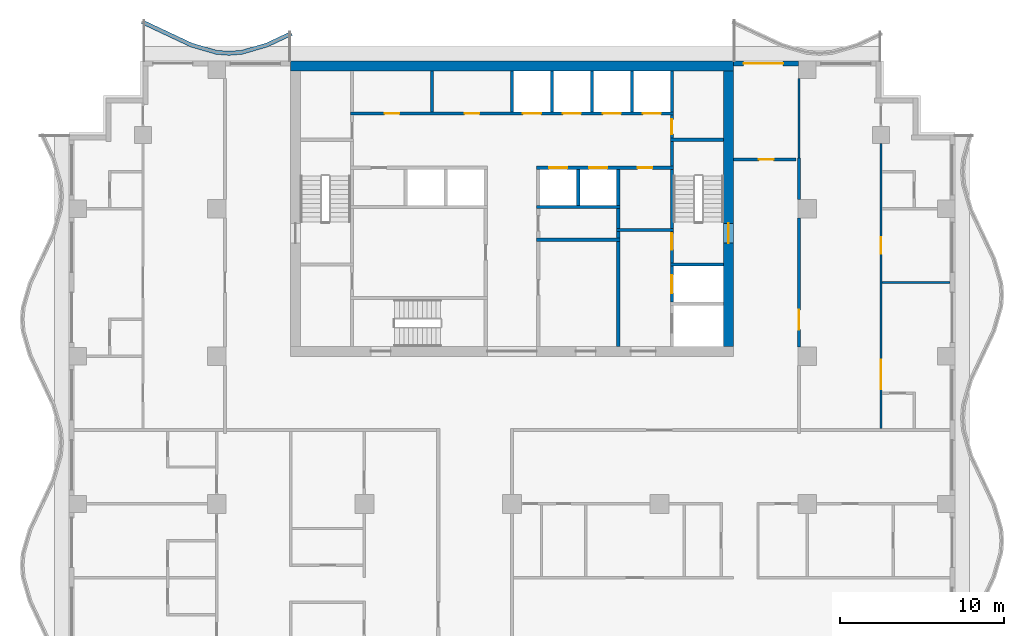
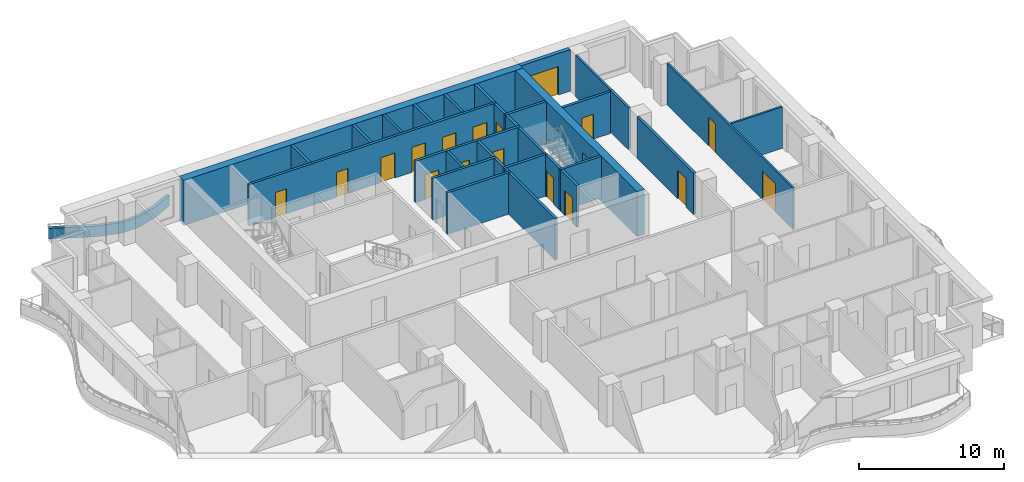
# One storey, part 6 of 11: 33 walls, 18 doors, 18 openings.
"""IFC4 building model written with IfcOpenShell, lengths in metres."""

from ifc_helpers import new_model, si_unit, direction, frame, frame_2d, origin, place, context, subcontext, project, spatial, polyline, rectangle, outline, extrude, material, layer, layer_set, type_object, element, fill, save


model = new_model("IFC4")

# Units and contexts
model_context = context("Model", 3, precision=1e-05, world=origin(), true_north=direction((0.0, 1.0)))
body_context = subcontext(model_context, "Body", "Model", "MODEL_VIEW")
ifc_project = project(units=[si_unit("LENGTHUNIT", "METRE"), si_unit("AREAUNIT", "SQUARE_METRE"), si_unit("VOLUMEUNIT", "CUBIC_METRE"), si_unit("PLANEANGLEUNIT", "RADIAN"), si_unit("MASSUNIT", "GRAM", prefix="KILO")], contexts=[model_context])

# Site, building, storey
site_placement = place(None, origin())
site = spatial("IfcSite", under=ifc_project, at=site_placement, CompositionType="ELEMENT")
building_placement = place(site_placement, origin())
building = spatial("IfcBuilding", under=site, at=building_placement, Name="Orbiselva Terraces", CompositionType="ELEMENT")
storey_placement = place(building_placement, frame((0.0, 0.0, 195.8)))
storey = spatial("IfcBuildingStorey", under=building, at=storey_placement, Name="L49", CompositionType="ELEMENT", Elevation=195.8)

# Wall, opening, door
ifc_material_1 = material(Name="Concrete C80/95", Category="concrete")
ifc_layer_1 = layer(ifc_material_1, 0.6)
ifc_layer_set_1 = layer_set([ifc_layer_1], Name="Concrete C80/95")
wall_type_1 = type_object("IfcWallType", Name="CORE WALL 600", PredefinedType="SHEAR", material=ifc_layer_set_1)
wall_1_placement = place(storey_placement, frame((13.2, 5.1, -0.3), z_axis=(0.0, 0.0, 1.0), x_axis=(0.0, 1.0, 0.0)))
wall_1 = element("IfcWall", 1, at=wall_1_placement, inside=storey, type_object=wall_type_1, Name="Core wall L49 east", PredefinedType="SHEAR", context=body_context, shape_type="SweptSolid", body=[
    extrude(rectangle(XDim=16.8, YDim=0.6, at=frame_2d((8.4, 0.0))), origin(), (0.0, 0.0, 1.0), 3.8),
])
opening_1_placement = place(wall_1_placement, frame((6.3, 0.0, 0.3)))
opening_1 = element("IfcOpeningElement", 2, at=opening_1_placement, cuts=wall_1, Name="Opening DS1200", PredefinedType="OPENING", context=body_context, shape_type="SweptSolid", body=[
    extrude(rectangle(XDim=1.2, YDim=2.2, at=frame_2d((0.6, 1.1))), frame((0.0, 0.31, 0.0), z_axis=(0.0, -1.0, 0.0), x_axis=(1.0, 0.0, 0.0)), (0.0, 0.0, 1.0), 0.62),
])
ifc_material_2 = material(Name="Steel fire door", Category="steel")
door_type_1 = type_object("IfcDoorType", Name="STAIR DOOR 1200", OperationType="NOTDEFINED", PredefinedType="DOOR", material=ifc_material_2)
door_1_placement = place(opening_1_placement, frame((1.2, 0.0, 0.0), z_axis=(0.0, 0.0, 1.0), x_axis=(-1.0, 0.0, 0.0)))
door_1 = element("IfcDoor", 3, at=door_1_placement, inside=storey, type_object=door_type_1, Name="L49 EXIT STAIR S2 door", OperationType="SINGLE_SWING_LEFT", OverallHeight=2.2, OverallWidth=1.2, PredefinedType="DOOR", context=body_context, shape_type="SweptSolid", body=[
    extrude(rectangle(XDim=1.2, YDim=2.2, at=frame_2d((0.6, 1.1))), frame((0.0, 0.025, 0.0), z_axis=(0.0, -1.0, 0.0), x_axis=(1.0, 0.0, 0.0)), (0.0, 0.0, 1.0), 0.05),
])
fill(opening_1, door_1)

# Walls
ifc_layer_2 = layer(ifc_material_1, 0.6)
ifc_layer_set_2 = layer_set([ifc_layer_2], Name="Concrete C80/95")
wall_type_2 = type_object("IfcWallType", Name="CORE WALL 600 EXTERNAL", PredefinedType="SHEAR", material=ifc_layer_set_2)
wall_2_placement = place(storey_placement, frame((13.5, 22.2, -0.3), z_axis=(0.0, 0.0, 1.0), x_axis=(-1.0, 0.0, 0.0)))
element("IfcWall", 4, at=wall_2_placement, inside=storey, type_object=wall_type_2, Name="Core wall L49 north", PredefinedType="SHEAR", context=body_context, shape_type="SweptSolid", body=[
    extrude(rectangle(XDim=27.0, YDim=0.6, at=frame_2d((13.5, 0.0))), origin(), (0.0, 0.0, 1.0), 3.8),
])
ifc_material_3 = material(Name="Masonry blockwork", Category="masonry")
ifc_layer_3 = layer(ifc_material_3, 0.2)
ifc_layer_set_3 = layer_set([ifc_layer_3], Name="Masonry blockwork")
wall_type_3 = type_object("IfcWallType", Name="CORE-WALL-PARTITION-200", PredefinedType="PARTITIONING", material=ifc_layer_set_3)
wall_3_placement = place(storey_placement, frame((-4.875, 19.4, 0.0), z_axis=(0.0, 0.0, 1.0), x_axis=(0.0, 1.0, 0.0)))
element("IfcWall", 5, at=wall_3_placement, inside=storey, type_object=wall_type_3, Name="L49 core wall 15", PredefinedType="PARTITIONING", context=body_context, shape_type="SweptSolid", body=[
    extrude(rectangle(XDim=2.5, YDim=0.2, at=frame_2d((1.25, 0.0))), origin(), (0.0, 0.0, 1.0), 3.5),
])
wall_4_placement = place(storey_placement, frame((6.475, 12.3, 0.0), z_axis=(0.0, 0.0, 1.0), x_axis=(0.0, 1.0, 0.0)))
element("IfcWall", 6, at=wall_4_placement, inside=storey, type_object=wall_type_3, Name="L49 core wall 33", PredefinedType="PARTITIONING", context=body_context, shape_type="SweptSolid", body=[
    extrude(rectangle(XDim=1.2, YDim=0.2, at=frame_2d((0.6, 0.0))), origin(), (0.0, 0.0, 1.0), 3.5),
])

# Wall, opening, door
wall_5_placement = place(storey_placement, frame((9.75, 19.2, 0.0), z_axis=(0.0, 0.0, 1.0), x_axis=(0.0, -1.0, 0.0)))
wall_5 = element("IfcWall", 7, at=wall_5_placement, inside=storey, type_object=wall_type_3, Name="L49 core wall 44", PredefinedType="PARTITIONING", context=body_context, shape_type="SweptSolid", body=[
    extrude(rectangle(XDim=1.4, YDim=0.2, at=frame_2d((0.7, 0.0))), origin(), (0.0, 0.0, 1.0), 3.5),
])
opening_2_placement = place(wall_5_placement, frame((0.25, 0.0, 0.0)))
opening_2 = element("IfcOpeningElement", 8, at=opening_2_placement, cuts=wall_5, Name="Opening DR900", PredefinedType="OPENING", context=body_context, shape_type="SweptSolid", body=[
    extrude(rectangle(XDim=0.9, YDim=2.1, at=frame_2d((0.45, 1.05))), frame((0.0, 0.11, 0.0), z_axis=(0.0, -1.0, 0.0), x_axis=(1.0, 0.0, 0.0)), (0.0, 0.0, 1.0), 0.22),
])
door_type_2 = type_object("IfcDoorType", Name="ROOM DOOR 900", OperationType="NOTDEFINED", PredefinedType="DOOR", material=ifc_material_2)
door_2_placement = place(opening_2_placement, origin())
door_2 = element("IfcDoor", 9, at=door_2_placement, inside=storey, type_object=door_type_2, Name="L49 ELECTRICAL RISER ROOM door", OperationType="SINGLE_SWING_RIGHT", OverallHeight=2.1, OverallWidth=0.9, PredefinedType="DOOR", context=body_context, shape_type="SweptSolid", body=[
    extrude(rectangle(XDim=0.9, YDim=2.1, at=frame_2d((0.45, 1.05))), frame((0.0, 0.025, 0.0), z_axis=(0.0, -1.0, 0.0), x_axis=(1.0, 0.0, 0.0)), (0.0, 0.0, 1.0), 0.05),
])
fill(opening_2, door_2)

# Walls
ifc_material_4 = material(Name="Concrete C40/50", Category="concrete")
ifc_layer_4 = layer(ifc_material_4, 0.2)
ifc_layer_set_4 = layer_set([ifc_layer_4], Name="Concrete C40/50")
wall_type_4 = type_object("IfcWallType", Name="CORE-WALL-SHAFT-200", PredefinedType="PARTITIONING", material=ifc_layer_set_4)
for number, where, z_axis, x_axis, name in (
    (10, (0.0, 19.4, 0.0), (0.0, 0.0, 1.0), (0.0, 1.0, 0.0), "L49 core wall 20"),
    (11, (2.4375, 19.4, 0.0), (0.0, 0.0, 1.0), (0.0, 1.0, 0.0), "L49 core wall 27"),
):
    element("IfcWall", number, at=place(storey_placement, frame(where, z_axis=z_axis, x_axis=x_axis)), inside=storey, type_object=wall_type_4, Name=name, PredefinedType="PARTITIONING", context=body_context, shape_type="SweptSolid", body=[
        extrude(rectangle(XDim=2.5, YDim=0.2, at=frame_2d((1.25, 0.0))), origin(), (0.0, 0.0, 1.0), 3.5),
    ])
wall_6_placement = place(storey_placement, frame((4.0375, 13.7, 0.0), z_axis=(0.0, 0.0, 1.0), x_axis=(0.0, 1.0, 0.0)))
element("IfcWall", 12, at=wall_6_placement, inside=storey, type_object=wall_type_4, Name="L49 core wall 28", PredefinedType="PARTITIONING", context=body_context, shape_type="SweptSolid", body=[
    extrude(rectangle(XDim=2.2, YDim=0.2, at=frame_2d((1.1, 0.0))), origin(), (0.0, 0.0, 1.0), 3.5),
])
wall_7_placement = place(storey_placement, frame((4.875, 19.4, 0.0), z_axis=(0.0, 0.0, 1.0), x_axis=(0.0, 1.0, 0.0)))
element("IfcWall", 13, at=wall_7_placement, inside=storey, type_object=wall_type_4, Name="L49 core wall 29", PredefinedType="PARTITIONING", context=body_context, shape_type="SweptSolid", body=[
    extrude(rectangle(XDim=2.5, YDim=0.2, at=frame_2d((1.25, 0.0))), origin(), (0.0, 0.0, 1.0), 3.5),
])
wall_8_placement = place(storey_placement, frame((6.475, 13.7, 0.0), z_axis=(0.0, 0.0, 1.0), x_axis=(0.0, 1.0, 0.0)))
element("IfcWall", 14, at=wall_8_placement, inside=storey, type_object=wall_type_4, Name="L49 core wall 34", PredefinedType="PARTITIONING", context=body_context, shape_type="SweptSolid", body=[
    extrude(rectangle(XDim=2.2, YDim=0.2, at=frame_2d((1.1, 0.0))), origin(), (0.0, 0.0, 1.0), 3.5),
])
for number, where, z_axis, x_axis, name in (
    (15, (7.3125, 19.4, 0.0), (0.0, 0.0, 1.0), (0.0, 1.0, 0.0), "L49 core wall 35"),
    (16, (9.75, 19.4, 0.0), (0.0, 0.0, 1.0), (0.0, 1.0, 0.0), "L49 core wall 45"),
):
    element("IfcWall", number, at=place(storey_placement, frame(where, z_axis=z_axis, x_axis=x_axis)), inside=storey, type_object=wall_type_4, Name=name, PredefinedType="PARTITIONING", context=body_context, shape_type="SweptSolid", body=[
        extrude(rectangle(XDim=2.5, YDim=0.2, at=frame_2d((1.25, 0.0))), origin(), (0.0, 0.0, 1.0), 3.5),
    ])

# Wall, openings, doors
ifc_material_5 = material(Name="Concrete C60/75", Category="concrete")
ifc_layer_5 = layer(ifc_material_5, 0.2)
ifc_layer_set_5 = layer_set([ifc_layer_5], Name="Concrete C60/75")
wall_type_5 = type_object("IfcWallType", Name="CORE-WALL-SHEAR-200", PredefinedType="SHEAR", material=ifc_layer_set_5)
wall_9_placement = place(storey_placement, frame((-9.85, 19.3, 0.0), z_axis=(0.0, 0.0, 1.0), x_axis=(1.0, 0.0, 0.0)))
wall_9 = element("IfcWall", 17, at=wall_9_placement, inside=storey, type_object=wall_type_5, Name="L49 core wall 12", PredefinedType="SHEAR", context=body_context, shape_type="SweptSolid", body=[
    extrude(rectangle(XDim=19.7, YDim=0.2, at=frame_2d((9.85, 0.0))), origin(), (0.0, 0.0, 1.0), 3.5),
])
opening_3_placement = place(wall_9_placement, frame((10.51875, 0.0, 0.0)))
opening_3 = element("IfcOpeningElement", 18, at=opening_3_placement, cuts=wall_9, Name="Opening LD-HR1", PredefinedType="OPENING", context=body_context, shape_type="SweptSolid", body=[
    extrude(rectangle(XDim=1.1, YDim=2.1, at=frame_2d((0.55, 1.05))), frame((0.0, 0.11, 0.0), z_axis=(0.0, -1.0, 0.0), x_axis=(1.0, 0.0, 0.0)), (0.0, 0.0, 1.0), 0.22),
])
opening_4_placement = place(wall_9_placement, frame((12.95625, 0.0, 0.0)))
opening_4 = element("IfcOpeningElement", 19, at=opening_4_placement, cuts=wall_9, Name="Opening LD-HR2", PredefinedType="OPENING", context=body_context, shape_type="SweptSolid", body=[
    extrude(rectangle(XDim=1.1, YDim=2.1, at=frame_2d((0.55, 1.05))), frame((0.0, 0.11, 0.0), z_axis=(0.0, -1.0, 0.0), x_axis=(1.0, 0.0, 0.0)), (0.0, 0.0, 1.0), 0.22),
])
opening_5_placement = place(wall_9_placement, frame((15.39375, 0.0, 0.0)))
opening_5 = element("IfcOpeningElement", 20, at=opening_5_placement, cuts=wall_9, Name="Opening LD-HR3", PredefinedType="OPENING", context=body_context, shape_type="SweptSolid", body=[
    extrude(rectangle(XDim=1.1, YDim=2.1, at=frame_2d((0.55, 1.05))), frame((0.0, 0.11, 0.0), z_axis=(0.0, -1.0, 0.0), x_axis=(1.0, 0.0, 0.0)), (0.0, 0.0, 1.0), 0.22),
])
opening_6_placement = place(wall_9_placement, frame((17.83125, 0.0, 0.0)))
opening_6 = element("IfcOpeningElement", 21, at=opening_6_placement, cuts=wall_9, Name="Opening LD-HR4", PredefinedType="OPENING", context=body_context, shape_type="SweptSolid", body=[
    extrude(rectangle(XDim=1.1, YDim=2.1, at=frame_2d((0.55, 1.05))), frame((0.0, 0.11, 0.0), z_axis=(0.0, -1.0, 0.0), x_axis=(1.0, 0.0, 0.0)), (0.0, 0.0, 1.0), 0.22),
])
opening_7_placement = place(wall_9_placement, frame((2.0875, 0.0, 0.0)))
opening_7 = element("IfcOpeningElement", 22, at=opening_7_placement, cuts=wall_9, Name="Opening DR900", PredefinedType="OPENING", context=body_context, shape_type="SweptSolid", body=[
    extrude(rectangle(XDim=0.9, YDim=2.1, at=frame_2d((0.45, 1.05))), frame((0.0, 0.11, 0.0), z_axis=(0.0, -1.0, 0.0), x_axis=(1.0, 0.0, 0.0)), (0.0, 0.0, 1.0), 0.22),
])
opening_8_placement = place(wall_9_placement, frame((6.9625, 0.0, 0.0)))
opening_8 = element("IfcOpeningElement", 23, at=opening_8_placement, cuts=wall_9, Name="Opening DR900", PredefinedType="OPENING", context=body_context, shape_type="SweptSolid", body=[
    extrude(rectangle(XDim=0.9, YDim=2.1, at=frame_2d((0.45, 1.05))), frame((0.0, 0.11, 0.0), z_axis=(0.0, -1.0, 0.0), x_axis=(1.0, 0.0, 0.0)), (0.0, 0.0, 1.0), 0.22),
])
ifc_material_6 = material(Name="Stainless steel landing door", Category="steel")
door_type_3 = type_object("IfcDoorType", Name="LANDING DOOR 1100", OperationType="SLIDING_TO_LEFT", PredefinedType="DOOR", material=ifc_material_6)
door_3_placement = place(opening_3_placement, origin())
door_3 = element("IfcDoor", 24, at=door_3_placement, inside=storey, type_object=door_type_3, Name="L49 landing door HR1", OperationType="SLIDING_TO_RIGHT", OverallHeight=2.1, OverallWidth=1.1, PredefinedType="DOOR", context=body_context, shape_type="SweptSolid", body=[
    extrude(rectangle(XDim=1.1, YDim=2.1, at=frame_2d((0.55, 1.05))), frame((0.0, 0.025, 0.0), z_axis=(0.0, -1.0, 0.0), x_axis=(1.0, 0.0, 0.0)), (0.0, 0.0, 1.0), 0.05),
])
fill(opening_3, door_3)
door_4_placement = place(opening_4_placement, origin())
door_4 = element("IfcDoor", 25, at=door_4_placement, inside=storey, type_object=door_type_3, Name="L49 landing door HR2", OperationType="SLIDING_TO_RIGHT", OverallHeight=2.1, OverallWidth=1.1, PredefinedType="DOOR", context=body_context, shape_type="SweptSolid", body=[
    extrude(rectangle(XDim=1.1, YDim=2.1, at=frame_2d((0.55, 1.05))), frame((0.0, 0.025, 0.0), z_axis=(0.0, -1.0, 0.0), x_axis=(1.0, 0.0, 0.0)), (0.0, 0.0, 1.0), 0.05),
])
fill(opening_4, door_4)
door_5_placement = place(opening_5_placement, origin())
door_5 = element("IfcDoor", 26, at=door_5_placement, inside=storey, type_object=door_type_3, Name="L49 landing door HR3", OperationType="SLIDING_TO_RIGHT", OverallHeight=2.1, OverallWidth=1.1, PredefinedType="DOOR", context=body_context, shape_type="SweptSolid", body=[
    extrude(rectangle(XDim=1.1, YDim=2.1, at=frame_2d((0.55, 1.05))), frame((0.0, 0.025, 0.0), z_axis=(0.0, -1.0, 0.0), x_axis=(1.0, 0.0, 0.0)), (0.0, 0.0, 1.0), 0.05),
])
fill(opening_5, door_5)
door_6_placement = place(opening_6_placement, origin())
door_6 = element("IfcDoor", 27, at=door_6_placement, inside=storey, type_object=door_type_3, Name="L49 landing door HR4", OperationType="SLIDING_TO_RIGHT", OverallHeight=2.1, OverallWidth=1.1, PredefinedType="DOOR", context=body_context, shape_type="SweptSolid", body=[
    extrude(rectangle(XDim=1.1, YDim=2.1, at=frame_2d((0.55, 1.05))), frame((0.0, 0.025, 0.0), z_axis=(0.0, -1.0, 0.0), x_axis=(1.0, 0.0, 0.0)), (0.0, 0.0, 1.0), 0.05),
])
fill(opening_6, door_6)
door_7_placement = place(opening_7_placement, origin())
door_7 = element("IfcDoor", 28, at=door_7_placement, inside=storey, type_object=door_type_2, Name="L49 PANTRY door", OperationType="SINGLE_SWING_LEFT", OverallHeight=2.1, OverallWidth=0.9, PredefinedType="DOOR", context=body_context, shape_type="SweptSolid", body=[
    extrude(rectangle(XDim=0.9, YDim=2.1, at=frame_2d((0.45, 1.05))), frame((0.0, 0.025, 0.0), z_axis=(0.0, -1.0, 0.0), x_axis=(1.0, 0.0, 0.0)), (0.0, 0.0, 1.0), 0.05),
])
fill(opening_7, door_7)
door_8_placement = place(opening_8_placement, origin())
door_8 = element("IfcDoor", 29, at=door_8_placement, inside=storey, type_object=door_type_2, Name="L49 STAFF LOUNGE door", OperationType="SINGLE_SWING_LEFT", OverallHeight=2.1, OverallWidth=0.9, PredefinedType="DOOR", context=body_context, shape_type="SweptSolid", body=[
    extrude(rectangle(XDim=0.9, YDim=2.1, at=frame_2d((0.45, 1.05))), frame((0.0, 0.025, 0.0), z_axis=(0.0, -1.0, 0.0), x_axis=(1.0, 0.0, 0.0)), (0.0, 0.0, 1.0), 0.05),
])
fill(opening_8, door_8)

# Walls
for number, where, z_axis, x_axis, name in (
    (30, (1.5, 11.6, 0.0), (0.0, 0.0, 1.0), (1.0, 0.0, 0.0), "L49 core wall 22"),
    (31, (1.5, 13.6, 0.0), (0.0, 0.0, 1.0), (1.0, 0.0, 0.0), "L49 core wall 24"),
):
    element("IfcWall", number, at=place(storey_placement, frame(where, z_axis=z_axis, x_axis=x_axis)), inside=storey, type_object=wall_type_5, Name=name, PredefinedType="SHEAR", context=body_context, shape_type="SweptSolid", body=[
        extrude(rectangle(XDim=5.075, YDim=0.2, at=frame_2d((2.5375, 0.0))), origin(), (0.0, 0.0, 1.0), 3.5),
    ])

# Wall, openings, doors
wall_10_placement = place(storey_placement, frame((9.85, 16.0, 0.0), z_axis=(0.0, 0.0, 1.0), x_axis=(-1.0, 0.0, 0.0)))
wall_10 = element("IfcWall", 32, at=wall_10_placement, inside=storey, type_object=wall_type_5, Name="L49 core wall 26", PredefinedType="SHEAR", context=body_context, shape_type="SweptSolid", body=[
    extrude(rectangle(XDim=8.35, YDim=0.2, at=frame_2d((4.175, 0.0))), origin(), (0.0, 0.0, 1.0), 3.5),
])
opening_9_placement = place(wall_10_placement, frame((6.48125, 0.0, 0.0)))
opening_9 = element("IfcOpeningElement", 33, at=opening_9_placement, cuts=wall_10, Name="Opening LD-HR5", PredefinedType="OPENING", context=body_context, shape_type="SweptSolid", body=[
    extrude(rectangle(XDim=1.1, YDim=2.1, at=frame_2d((0.55, 1.05))), frame((0.0, 0.11, 0.0), z_axis=(0.0, -1.0, 0.0), x_axis=(1.0, 0.0, 0.0)), (0.0, 0.0, 1.0), 0.22),
])
opening_10_placement = place(wall_10_placement, frame((4.04375, 0.0, 0.0)))
opening_10 = element("IfcOpeningElement", 34, at=opening_10_placement, cuts=wall_10, Name="Opening LD-HR6", PredefinedType="OPENING", context=body_context, shape_type="SweptSolid", body=[
    extrude(rectangle(XDim=1.1, YDim=2.1, at=frame_2d((0.55, 1.05))), frame((0.0, 0.11, 0.0), z_axis=(0.0, -1.0, 0.0), x_axis=(1.0, 0.0, 0.0)), (0.0, 0.0, 1.0), 0.22),
])
opening_11_placement = place(wall_10_placement, frame((1.2875, 0.0, 0.0)))
opening_11 = element("IfcOpeningElement", 35, at=opening_11_placement, cuts=wall_10, Name="Opening DR900", PredefinedType="OPENING", context=body_context, shape_type="SweptSolid", body=[
    extrude(rectangle(XDim=0.9, YDim=2.1, at=frame_2d((0.45, 1.05))), frame((0.0, 0.11, 0.0), z_axis=(0.0, -1.0, 0.0), x_axis=(1.0, 0.0, 0.0)), (0.0, 0.0, 1.0), 0.22),
])
door_9_placement = place(opening_9_placement, origin())
door_9 = element("IfcDoor", 36, at=door_9_placement, inside=storey, type_object=door_type_3, Name="L49 landing door HR5", OperationType="SLIDING_TO_RIGHT", OverallHeight=2.1, OverallWidth=1.1, PredefinedType="DOOR", context=body_context, shape_type="SweptSolid", body=[
    extrude(rectangle(XDim=1.1, YDim=2.1, at=frame_2d((0.55, 1.05))), frame((0.0, 0.025, 0.0), z_axis=(0.0, -1.0, 0.0), x_axis=(1.0, 0.0, 0.0)), (0.0, 0.0, 1.0), 0.05),
])
fill(opening_9, door_9)
door_10_placement = place(opening_10_placement, origin())
door_10 = element("IfcDoor", 37, at=door_10_placement, inside=storey, type_object=door_type_3, Name="L49 landing door HR6", OperationType="SLIDING_TO_RIGHT", OverallHeight=2.1, OverallWidth=1.1, PredefinedType="DOOR", context=body_context, shape_type="SweptSolid", body=[
    extrude(rectangle(XDim=1.1, YDim=2.1, at=frame_2d((0.55, 1.05))), frame((0.0, 0.025, 0.0), z_axis=(0.0, -1.0, 0.0), x_axis=(1.0, 0.0, 0.0)), (0.0, 0.0, 1.0), 0.05),
])
fill(opening_10, door_10)
door_11_placement = place(opening_11_placement, origin())
door_11 = element("IfcDoor", 38, at=door_11_placement, inside=storey, type_object=door_type_2, Name="L49 PIPE RISER ROOM door", OperationType="SINGLE_SWING_LEFT", OverallHeight=2.1, OverallWidth=0.9, PredefinedType="DOOR", context=body_context, shape_type="SweptSolid", body=[
    extrude(rectangle(XDim=0.9, YDim=2.1, at=frame_2d((0.45, 1.05))), frame((0.0, 0.025, 0.0), z_axis=(0.0, -1.0, 0.0), x_axis=(1.0, 0.0, 0.0)), (0.0, 0.0, 1.0), 0.05),
])
fill(opening_11, door_11)

# Walls
wall_11_placement = place(storey_placement, frame((6.475, 5.1, 0.0), z_axis=(0.0, 0.0, 1.0), x_axis=(0.0, 1.0, 0.0)))
element("IfcWall", 39, at=wall_11_placement, inside=storey, type_object=wall_type_5, Name="L49 core wall 30", PredefinedType="SHEAR", context=body_context, shape_type="SweptSolid", body=[
    extrude(rectangle(XDim=6.4, YDim=0.2, at=frame_2d((3.2, 0.0))), origin(), (0.0, 0.0, 1.0), 3.5),
])
wall_12_placement = place(storey_placement, frame((6.475, 11.7, 0.0), z_axis=(0.0, 0.0, 1.0), x_axis=(0.0, 1.0, 0.0)))
element("IfcWall", 40, at=wall_12_placement, inside=storey, type_object=wall_type_5, Name="L49 core wall 31", PredefinedType="SHEAR", context=body_context, shape_type="SweptSolid", body=[
    extrude(rectangle(XDim=0.4, YDim=0.2, at=frame_2d((0.2, 0.0))), origin(), (0.0, 0.0, 1.0), 3.5),
])
wall_13_placement = place(storey_placement, frame((6.375, 12.2, 0.0), z_axis=(0.0, 0.0, 1.0), x_axis=(1.0, 0.0, 0.0)))
element("IfcWall", 41, at=wall_13_placement, inside=storey, type_object=wall_type_5, Name="L49 core wall 32", PredefinedType="SHEAR", context=body_context, shape_type="SweptSolid", body=[
    extrude(rectangle(XDim=3.475, YDim=0.2, at=frame_2d((1.7375, 0.0))), origin(), (0.0, 0.0, 1.0), 3.5),
])

# Wall, opening, door
wall_14_placement = place(storey_placement, frame((9.75, 7.8, 0.0), z_axis=(0.0, 0.0, 1.0), x_axis=(0.0, 1.0, 0.0)))
wall_14 = element("IfcWall", 42, at=wall_14_placement, inside=storey, type_object=wall_type_5, Name="L49 core wall 38", PredefinedType="SHEAR", context=body_context, shape_type="SweptSolid", body=[
    extrude(rectangle(XDim=2.2, YDim=0.2, at=frame_2d((1.1, 0.0))), origin(), (0.0, 0.0, 1.0), 3.5),
])
opening_12_placement = place(wall_14_placement, frame((0.55, 0.0, 0.0)))
opening_12 = element("IfcOpeningElement", 43, at=opening_12_placement, cuts=wall_14, Name="Opening LD-FF2", PredefinedType="OPENING", context=body_context, shape_type="SweptSolid", body=[
    extrude(rectangle(XDim=1.1, YDim=2.1, at=frame_2d((0.55, 1.05))), frame((0.0, 0.11, 0.0), z_axis=(0.0, -1.0, 0.0), x_axis=(1.0, 0.0, 0.0)), (0.0, 0.0, 1.0), 0.22),
])
door_12_placement = place(opening_12_placement, origin())
door_12 = element("IfcDoor", 44, at=door_12_placement, inside=storey, type_object=door_type_3, Name="L49 landing door FF2", OperationType="SLIDING_TO_RIGHT", OverallHeight=2.1, OverallWidth=1.1, PredefinedType="DOOR", context=body_context, shape_type="SweptSolid", body=[
    extrude(rectangle(XDim=1.1, YDim=2.1, at=frame_2d((0.55, 1.05))), frame((0.0, 0.025, 0.0), z_axis=(0.0, -1.0, 0.0), x_axis=(1.0, 0.0, 0.0)), (0.0, 0.0, 1.0), 0.05),
])
fill(opening_12, door_12)

# Wall
wall_15_placement = place(storey_placement, frame((9.65, 10.1, 0.0), z_axis=(0.0, 0.0, 1.0), x_axis=(1.0, 0.0, 0.0)))
element("IfcWall", 45, at=wall_15_placement, inside=storey, type_object=wall_type_5, Name="L49 core wall 39", PredefinedType="SHEAR", context=body_context, shape_type="SweptSolid", body=[
    extrude(rectangle(XDim=3.25, YDim=0.2, at=frame_2d((1.625, 0.0))), origin(), (0.0, 0.0, 1.0), 3.5),
])

# Wall, opening, door
wall_16_placement = place(storey_placement, frame((9.75, 12.1, 0.0), z_axis=(0.0, 0.0, 1.0), x_axis=(0.0, -1.0, 0.0)))
wall_16 = element("IfcWall", 46, at=wall_16_placement, inside=storey, type_object=wall_type_5, Name="L49 core wall 40", PredefinedType="SHEAR", context=body_context, shape_type="SweptSolid", body=[
    extrude(rectangle(XDim=1.9, YDim=0.2, at=frame_2d((0.95, 0.0))), origin(), (0.0, 0.0, 1.0), 3.5),
])
opening_13_placement = place(wall_16_placement, frame((0.1, 0.0, 0.0)))
opening_13 = element("IfcOpeningElement", 47, at=opening_13_placement, cuts=wall_16, Name="Opening DS1000", PredefinedType="OPENING", context=body_context, shape_type="SweptSolid", body=[
    extrude(rectangle(XDim=1.0, YDim=2.2, at=frame_2d((0.5, 1.1))), frame((0.0, 0.11, 0.0), z_axis=(0.0, -1.0, 0.0), x_axis=(1.0, 0.0, 0.0)), (0.0, 0.0, 1.0), 0.22),
])
door_type_4 = type_object("IfcDoorType", Name="STAIR DOOR 1000", OperationType="NOTDEFINED", PredefinedType="DOOR", material=ifc_material_2)
door_13_placement = place(opening_13_placement, origin())
door_13 = element("IfcDoor", 48, at=door_13_placement, inside=storey, type_object=door_type_4, Name="L49 FIRE-FIGHTING LOBBY TO EXIT STAIR S2 door", OperationType="SINGLE_SWING_LEFT", OverallHeight=2.2, OverallWidth=1.0, PredefinedType="DOOR", context=body_context, shape_type="SweptSolid", body=[
    extrude(rectangle(XDim=1.0, YDim=2.2, at=frame_2d((0.5, 1.1))), frame((0.0, 0.025, 0.0), z_axis=(0.0, -1.0, 0.0), x_axis=(1.0, 0.0, 0.0)), (0.0, 0.0, 1.0), 0.05),
])
fill(opening_13, door_13)

# Walls
wall_17_placement = place(storey_placement, frame((9.75, 12.3, 0.0), z_axis=(0.0, 0.0, 1.0), x_axis=(0.0, 1.0, 0.0)))
element("IfcWall", 49, at=wall_17_placement, inside=storey, type_object=wall_type_5, Name="L49 core wall 41", PredefinedType="SHEAR", context=body_context, shape_type="SweptSolid", body=[
    extrude(rectangle(XDim=3.6, YDim=0.2, at=frame_2d((1.8, 0.0))), origin(), (0.0, 0.0, 1.0), 3.5),
])
wall_18_placement = place(storey_placement, frame((9.75, 16.1, 0.0), z_axis=(0.0, 0.0, 1.0), x_axis=(0.0, 1.0, 0.0)))
element("IfcWall", 50, at=wall_18_placement, inside=storey, type_object=wall_type_5, Name="L49 core wall 42", PredefinedType="SHEAR", context=body_context, shape_type="SweptSolid", body=[
    extrude(rectangle(XDim=1.5, YDim=0.2, at=frame_2d((0.75, 0.0))), origin(), (0.0, 0.0, 1.0), 3.5),
])
wall_19_placement = place(storey_placement, frame((9.65, 17.7, 0.0), z_axis=(0.0, 0.0, 1.0), x_axis=(1.0, 0.0, 0.0)))
element("IfcWall", 51, at=wall_19_placement, inside=storey, type_object=wall_type_5, Name="L49 core wall 43", PredefinedType="SHEAR", context=body_context, shape_type="SweptSolid", body=[
    extrude(rectangle(XDim=3.25, YDim=0.2, at=frame_2d((1.625, 0.0))), origin(), (0.0, 0.0, 1.0), 3.5),
])
ifc_layer_6 = layer(ifc_material_4, 0.25)
ifc_layer_set_6 = layer_set([ifc_layer_6], Name="Concrete C40/50")
wall_type_6 = type_object("IfcWallType", Name="ENV-PLANTER-250x900", PredefinedType="USERDEFINED", material=ifc_layer_set_6)
wall_20_placement = place(storey_placement, origin())
element("IfcWall", 52, at=wall_20_placement, inside=storey, type_object=wall_type_6, Name="Balcony planter L49 NW", ObjectType="PLANTER", PredefinedType="USERDEFINED", context=body_context, shape_type="SweptSolid", body=[
    extrude(outline(polyline([(-13.5, 24.3), (-15.0, 23.594658), (-16.5, 23.158732), (-17.25, 23.1), (-18.0, 23.158732), (-19.5, 23.594658), (-21.0, 24.3), (-22.5, 25.005342), (-22.606383, 24.779106), (-21.106383, 24.073764), (-19.588618, 23.360069), (-18.045114, 22.911499), (-17.25, 22.849235), (-16.454886, 22.911499), (-14.911382, 23.360069), (-13.393617, 24.073764), (-13.5, 24.3)])), origin(), (0.0, 0.0, 1.0), 0.9),
])

# Wall, opening, door
ifc_material_7 = material(Name="Terracotta cladding on masonry backing", Category="masonry")
ifc_layer_7 = layer(ifc_material_7, 0.3)
ifc_layer_set_7 = layer_set([ifc_layer_7], Name="Terracotta cladding on masonry backing")
wall_type_7 = type_object("IfcWallType", Name="ENV-WALL-TERRACOTTA-300", PredefinedType="SOLIDWALL", material=ifc_layer_set_7)
wall_21_placement = place(storey_placement, frame((13.5, 22.35, 0.0), z_axis=(0.0, 0.0, 1.0), x_axis=(1.0, 0.0, 0.0)))
wall_21 = element("IfcWall", 53, at=wall_21_placement, inside=storey, type_object=wall_type_7, Name="Facade wall L49 NE", PredefinedType="SOLIDWALL", context=body_context, shape_type="SweptSolid", body=[
    extrude(rectangle(XDim=3.975, YDim=0.3, at=frame_2d((1.9875, 0.0))), origin(), (0.0, 0.0, 1.0), 3.5),
])
opening_14_placement = place(wall_21_placement, frame((0.625, 0.0, 0.0)))
opening_14 = element("IfcOpeningElement", 54, at=opening_14_placement, cuts=wall_21, Name="Opening Z4-B-E06", PredefinedType="OPENING", context=body_context, shape_type="SweptSolid", body=[
    extrude(rectangle(XDim=2.4, YDim=2.4, at=frame_2d((1.2, 1.2))), frame((0.0, 0.16, 0.0), z_axis=(0.0, -1.0, 0.0), x_axis=(1.0, 0.0, 0.0)), (0.0, 0.0, 1.0), 0.32),
])
ifc_material_8 = material(Name="Clear low-e glazing in aluminium frame", Category="aluminium")
door_type_5 = type_object("IfcDoorType", Name="BALCONY DOOR 2400 X 2400", OperationType="DOUBLE_DOOR_SLIDING", PredefinedType="DOOR", material=ifc_material_8)
door_14_placement = place(opening_14_placement, origin())
door_14 = element("IfcDoor", 55, at=door_14_placement, inside=storey, type_object=door_type_5, Name="Z4-B-E06", OperationType="SINGLE_SWING_LEFT", OverallHeight=2.4, OverallWidth=2.4, PredefinedType="DOOR", context=body_context, shape_type="SweptSolid", body=[
    extrude(rectangle(XDim=2.4, YDim=2.4, at=frame_2d((1.2, 1.2))), frame((0.0, 0.025, 0.0), z_axis=(0.0, -1.0, 0.0), x_axis=(1.0, 0.0, 0.0)), (0.0, 0.0, 1.0), 0.05),
])
fill(opening_14, door_14)

ifc_material_9 = material(Name="Plasterboard on steel stud partition", Category="steel")
ifc_layer_8 = layer(ifc_material_9, 0.2)
ifc_layer_set_8 = layer_set([ifc_layer_8], Name="Plasterboard on steel stud partition")
wall_type_8 = type_object("IfcWallType", Name="UNIT-ENTRANCE-WALL-200", PredefinedType="PARTITIONING", material=ifc_layer_set_8)
wall_22_placement = place(storey_placement, frame((13.5, 16.5, 0.0), z_axis=(0.0, 0.0, 1.0), x_axis=(1.0, 0.0, 0.0)))
wall_22 = element("IfcWall", 56, at=wall_22_placement, inside=storey, type_object=wall_type_8, Name="PARTITION L49-041", PredefinedType="PARTITIONING", context=body_context, shape_type="SweptSolid", body=[
    extrude(rectangle(XDim=3.825, YDim=0.2, at=frame_2d((1.9125, 0.0))), origin(), (0.0, 0.0, 1.0), 3.5),
])
opening_15_placement = place(wall_22_placement, frame((1.55, 0.0, 0.0)))
opening_15 = element("IfcOpeningElement", 57, at=opening_15_placement, cuts=wall_22, Name="Opening Z4-B-01", PredefinedType="OPENING", context=body_context, shape_type="SweptSolid", body=[
    extrude(rectangle(XDim=0.9, YDim=2.1, at=frame_2d((0.45, 1.05))), frame((0.0, 0.11, 0.0), z_axis=(0.0, -1.0, 0.0), x_axis=(1.0, 0.0, 0.0)), (0.0, 0.0, 1.0), 0.22),
])
ifc_material_10 = material(Name="Painted timber door leaf", Category="wood")
door_type_6 = type_object("IfcDoorType", Name="SERVICE DOOR 900", OperationType="NOTDEFINED", PredefinedType="DOOR", material=ifc_material_10)
door_15_placement = place(opening_15_placement, origin())
door_15 = element("IfcDoor", 58, at=door_15_placement, inside=storey, type_object=door_type_6, Name="Z4-B-01", OperationType="SINGLE_SWING_RIGHT", OverallHeight=2.1, OverallWidth=0.9, PredefinedType="DOOR", context=body_context, shape_type="SweptSolid", body=[
    extrude(rectangle(XDim=0.9, YDim=2.1, at=frame_2d((0.45, 1.05))), frame((0.0, 0.025, 0.0), z_axis=(0.0, -1.0, 0.0), x_axis=(1.0, 0.0, 0.0)), (0.0, 0.0, 1.0), 0.05),
])
fill(opening_15, door_15)

wall_23_placement = place(storey_placement, frame((17.5, 12.925, 0.0), z_axis=(0.0, 0.0, 1.0), x_axis=(0.0, -1.0, 0.0)))
wall_23 = element("IfcWall", 59, at=wall_23_placement, inside=storey, type_object=wall_type_8, Name="PARTITION L49-076", PredefinedType="PARTITIONING", context=body_context, shape_type="SweptSolid", body=[
    extrude(rectangle(XDim=7.85, YDim=0.2, at=frame_2d((3.925, 0.0))), origin(), (0.0, 0.0, 1.0), 3.5),
])
opening_16_placement = place(wall_23_placement, frame((5.6, 0.0, 0.0)))
opening_16 = element("IfcOpeningElement", 60, at=opening_16_placement, cuts=wall_23, Name="Opening Z4-B-08", PredefinedType="OPENING", context=body_context, shape_type="SweptSolid", body=[
    extrude(rectangle(XDim=1.2, YDim=2.4, at=frame_2d((0.6, 1.2))), frame((0.0, 0.11, 0.0), z_axis=(0.0, -1.0, 0.0), x_axis=(1.0, 0.0, 0.0)), (0.0, 0.0, 1.0), 0.22),
])
door_type_7 = type_object("IfcDoorType", Name="ENTRANCE DOOR 1200", OperationType="NOTDEFINED", PredefinedType="DOOR", material=ifc_material_10)
door_16_placement = place(opening_16_placement, origin())
door_16 = element("IfcDoor", 61, at=door_16_placement, inside=storey, type_object=door_type_7, Name="Z4-B-08", OperationType="SINGLE_SWING_RIGHT", OverallHeight=2.4, OverallWidth=1.2, PredefinedType="DOOR", context=body_context, shape_type="SweptSolid", body=[
    extrude(rectangle(XDim=1.2, YDim=2.4, at=frame_2d((0.6, 1.2))), frame((0.0, 0.025, 0.0), z_axis=(0.0, -1.0, 0.0), x_axis=(1.0, 0.0, 0.0)), (0.0, 0.0, 1.0), 0.05),
])
fill(opening_16, door_16)

# Walls
wall_24_placement = place(storey_placement, frame((17.5, 14.075, 0.0), z_axis=(0.0, 0.0, 1.0), x_axis=(0.0, 1.0, 0.0)))
element("IfcWall", 62, at=wall_24_placement, inside=storey, type_object=wall_type_8, Name="PARTITION L49-077", PredefinedType="PARTITIONING", context=body_context, shape_type="SweptSolid", body=[
    extrude(rectangle(XDim=2.525, YDim=0.2, at=frame_2d((1.2625, 0.0))), origin(), (0.0, 0.0, 1.0), 3.5),
])
ifc_layer_9 = layer(ifc_material_9, 0.15)
ifc_layer_set_9 = layer_set([ifc_layer_9], Name="Plasterboard on steel stud partition")
wall_type_9 = type_object("IfcWallType", Name="UNIT-PARTITION-150", PredefinedType="PARTITIONING", material=ifc_layer_set_9)
wall_25_placement = place(storey_placement, frame((22.575, 9.0, 0.0), z_axis=(0.0, 0.0, 1.0), x_axis=(1.0, 0.0, 0.0)))
element("IfcWall", 63, at=wall_25_placement, inside=storey, type_object=wall_type_9, Name="PARTITION L49-036", PredefinedType="PARTITIONING", context=body_context, shape_type="SweptSolid", body=[
    extrude(rectangle(XDim=4.125, YDim=0.15, at=frame_2d((2.0625, 0.0))), origin(), (0.0, 0.0, 1.0), 3.5),
])
wall_26_placement = place(storey_placement, frame((17.5, 16.4, 0.0), z_axis=(0.0, 0.0, 1.0), x_axis=(0.0, 1.0, 0.0)))
element("IfcWall", 64, at=wall_26_placement, inside=storey, type_object=wall_type_9, Name="PARTITION L49-078", PredefinedType="PARTITIONING", context=body_context, shape_type="SweptSolid", body=[
    extrude(rectangle(XDim=5.05, YDim=0.15, at=frame_2d((2.525, 0.0))), origin(), (0.0, 0.0, 1.0), 3.5),
])

# Wall, openings, doors
wall_27_placement = place(storey_placement, frame((22.5, 17.475, 0.0), z_axis=(0.0, 0.0, 1.0), x_axis=(0.0, -1.0, 0.0)))
wall_27 = element("IfcWall", 65, at=wall_27_placement, inside=storey, type_object=wall_type_9, Name="PARTITION L49-084", PredefinedType="PARTITIONING", context=body_context, shape_type="SweptSolid", body=[
    extrude(rectangle(XDim=17.375, YDim=0.15, at=frame_2d((8.6875, 0.0))), origin(), (0.0, 0.0, 1.0), 3.5),
])
opening_17_placement = place(wall_27_placement, frame((13.175, 0.0, 0.0)))
opening_17 = element("IfcOpeningElement", 66, at=opening_17_placement, cuts=wall_27, Name="Opening Z4-B-09", PredefinedType="OPENING", context=body_context, shape_type="SweptSolid", body=[
    extrude(rectangle(XDim=1.8, YDim=2.4, at=frame_2d((0.9, 1.2))), frame((0.0, 0.085, 0.0), z_axis=(0.0, -1.0, 0.0), x_axis=(1.0, 0.0, 0.0)), (0.0, 0.0, 1.0), 0.17),
])
opening_18_placement = place(wall_27_placement, frame((5.725, 0.0, 0.0)))
opening_18 = element("IfcOpeningElement", 67, at=opening_18_placement, cuts=wall_27, Name="Opening Z4-B-11", PredefinedType="OPENING", context=body_context, shape_type="SweptSolid", body=[
    extrude(rectangle(XDim=1.0, YDim=2.4, at=frame_2d((0.5, 1.2))), frame((0.0, 0.085, 0.0), z_axis=(0.0, -1.0, 0.0), x_axis=(1.0, 0.0, 0.0)), (0.0, 0.0, 1.0), 0.17),
])
door_type_8 = type_object("IfcDoorType", Name="DOUBLE DOOR 1800", OperationType="NOTDEFINED", PredefinedType="DOOR", material=ifc_material_10)
door_17_placement = place(opening_17_placement, origin())
door_17 = element("IfcDoor", 68, at=door_17_placement, inside=storey, type_object=door_type_8, Name="Z4-B-09", OperationType="DOUBLE_DOOR_SINGLE_SWING", OverallHeight=2.4, OverallWidth=1.8, PredefinedType="DOOR", context=body_context, shape_type="SweptSolid", body=[
    extrude(rectangle(XDim=1.8, YDim=2.4, at=frame_2d((0.9, 1.2))), frame((0.0, 0.025, 0.0), z_axis=(0.0, -1.0, 0.0), x_axis=(1.0, 0.0, 0.0)), (0.0, 0.0, 1.0), 0.05),
])
fill(opening_17, door_17)
door_type_9 = type_object("IfcDoorType", Name="ROOM DOOR 1000", OperationType="NOTDEFINED", PredefinedType="DOOR", material=ifc_material_10)
door_18_placement = place(opening_18_placement, origin())
door_18 = element("IfcDoor", 69, at=door_18_placement, inside=storey, type_object=door_type_9, Name="Z4-B-11", OperationType="SINGLE_SWING_LEFT", OverallHeight=2.4, OverallWidth=1.0, PredefinedType="DOOR", context=body_context, shape_type="SweptSolid", body=[
    extrude(rectangle(XDim=1.0, YDim=2.4, at=frame_2d((0.5, 1.2))), frame((0.0, 0.025, 0.0), z_axis=(0.0, -1.0, 0.0), x_axis=(1.0, 0.0, 0.0)), (0.0, 0.0, 1.0), 0.05),
])
fill(opening_18, door_18)

save(model, "model.ifc")
